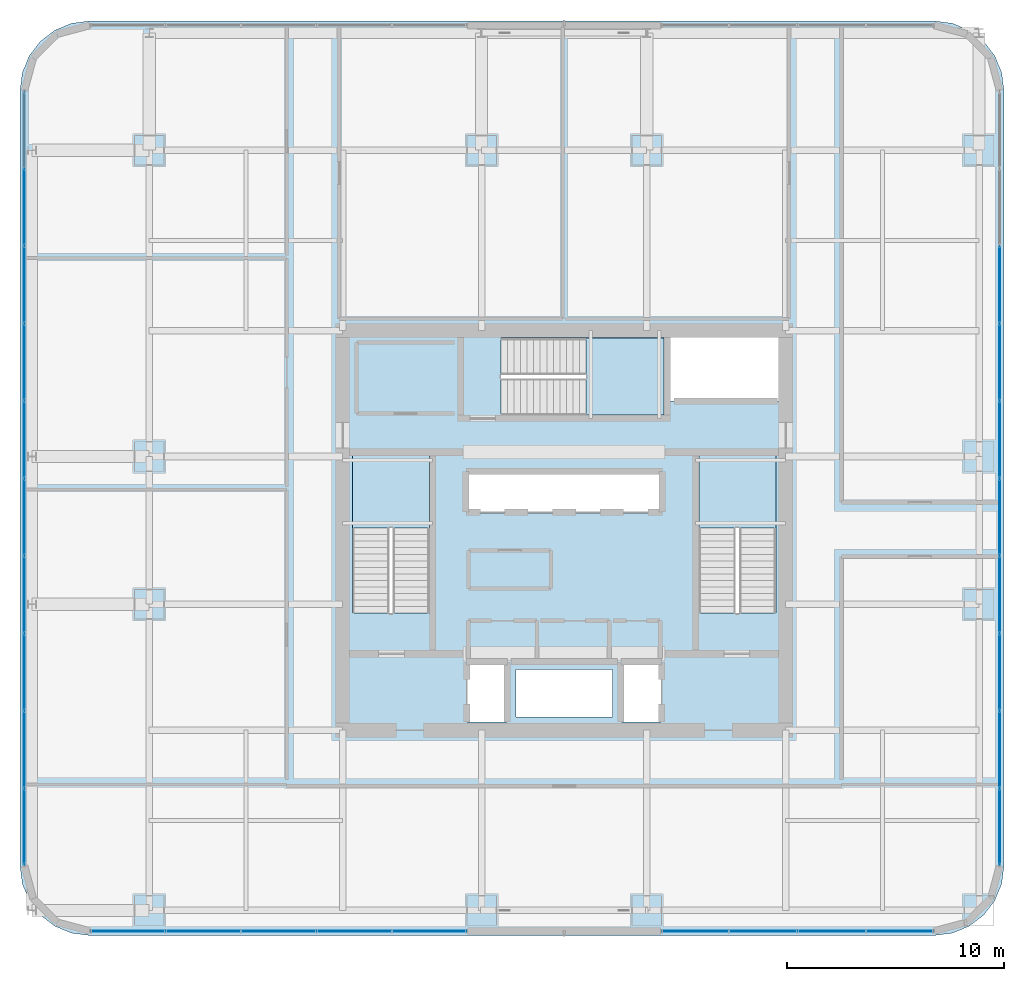
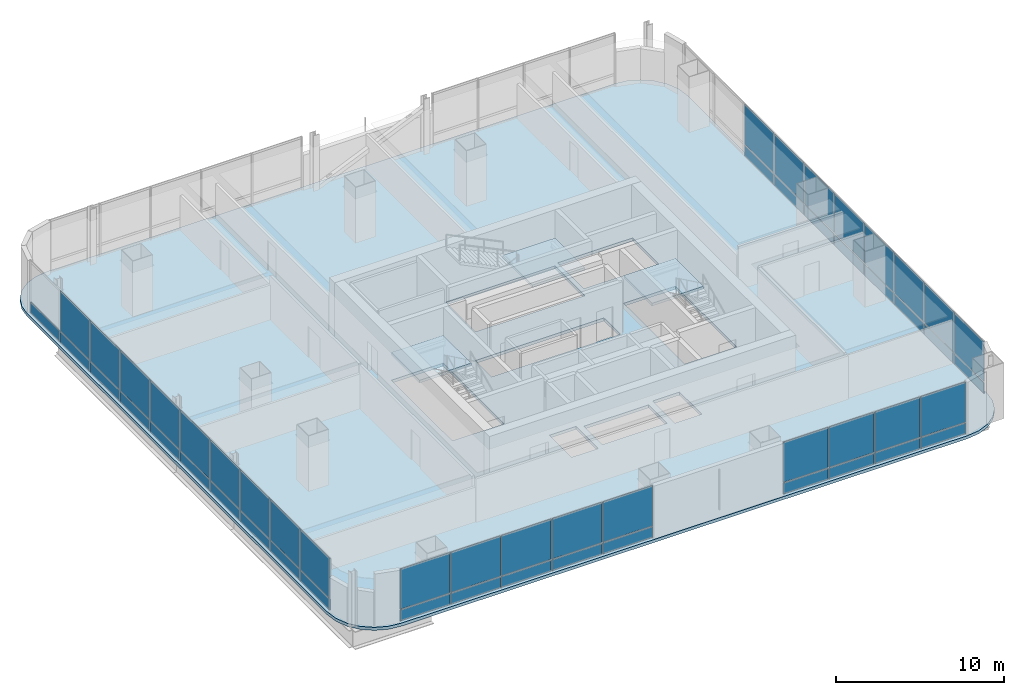
# One storey, part 26 of 38: 53 plates, 4 slabs, 7 elements without a shape of their own.
"""IFC4 building model written with IfcOpenShell, lengths in metres."""

from ifc_helpers import new_model, si_unit, direction, frame, origin, origin_2d, place, context, subcontext, project, spatial, polyline, rectangle, outline, extrude, material, layer, layer_set, type_object, element, aggregate, save


model = new_model("IFC4")

# Units and contexts
model_context = context("Model", 3, precision=1e-05, world=origin(), true_north=direction((0.0, 1.0)))
body_context = subcontext(model_context, "Body", "Model", "MODEL_VIEW")
ifc_project = project(units=[si_unit("LENGTHUNIT", "METRE"), si_unit("AREAUNIT", "SQUARE_METRE"), si_unit("VOLUMEUNIT", "CUBIC_METRE"), si_unit("PLANEANGLEUNIT", "RADIAN"), si_unit("MASSUNIT", "GRAM", prefix="KILO")], contexts=[model_context])

# Site, building, storey
site_placement = place(None, origin())
site = spatial("IfcSite", under=ifc_project, at=site_placement, CompositionType="ELEMENT")
building_placement = place(site_placement, origin())
building = spatial("IfcBuilding", under=site, at=building_placement, Name="Punatoya Terracotta Tower", CompositionType="ELEMENT")
storey_placement = place(building_placement, frame((0.0, 0.0, 156.0)))
storey = spatial("IfcBuildingStorey", under=building, at=storey_placement, Name="L36", CompositionType="ELEMENT", Elevation=156.0)

# Curtain wall, plates
ifc_material_1 = material(Name="Aluminium 6063-T6 + Double Low-E Glass", Category="aluminium")
curtain_wall_type = type_object("IfcCurtainWallType", Name="CW-M2", PredefinedType="NOTDEFINED", material=ifc_material_1)
curtain_wall_1_placement = place(storey_placement, origin())
curtain_wall_1 = element("IfcCurtainWall", 1, at=curtain_wall_1_placement, inside=storey, type_object=curtain_wall_type, Name="L36 Curtain Wall CW-L36-S01-1", PredefinedType="NOTDEFINED")
ifc_material_2 = material(Name="Double Low-E Acoustic Vision Glass", Category="glass")
ifc_layer_1 = layer(ifc_material_2, 0.031982421875)
ifc_layer_set_1 = layer_set([ifc_layer_1], Name="Double Low-E Acoustic Vision Glass")
plate_type_1 = type_object("IfcPlateType", Name="PLT-GLZ-32", PredefinedType="CURTAIN_PANEL", material=ifc_layer_set_1)
plate_1_placement = place(storey_placement, frame((-20.09814453125, -18.449951171875, 0.89013671875), z_axis=(0.0, 0.0, 1.0), x_axis=(1.0, 0.0, 0.0)))
plate_1 = element("IfcPlate", 2, at=plate_1_placement, type_object=plate_type_1, Name="CW-L36-S01-1 Vision Glass Panel 1", PredefinedType="CURTAIN_PANEL", context=body_context, shape_type="SweptSolid", body=[
    extrude(rectangle(XDim=3.392333984375, YDim=0.031982421875, at=origin_2d()), origin(), (0.0, 0.0, 1.0), 2.89990234375),
])
plate_2_placement = place(storey_placement, frame((-16.620849609375, -18.449951171875, 0.89013671875), z_axis=(0.0, 0.0, 1.0), x_axis=(1.0, 0.0, 0.0)))
plate_2 = element("IfcPlate", 3, at=plate_2_placement, type_object=plate_type_1, Name="CW-L36-S01-1 Vision Glass Panel 2", PredefinedType="CURTAIN_PANEL", context=body_context, shape_type="SweptSolid", body=[
    extrude(rectangle(XDim=3.392333984375, YDim=0.031982421875, at=origin_2d()), origin(), (0.0, 0.0, 1.0), 2.89990234375),
])
plate_3_placement = place(storey_placement, frame((-13.143310546875, -18.449951171875, 0.89013671875), z_axis=(0.0, 0.0, 1.0), x_axis=(1.0, 0.0, 0.0)))
plate_3 = element("IfcPlate", 4, at=plate_3_placement, type_object=plate_type_1, Name="CW-L36-S01-1 Vision Glass Panel 3", PredefinedType="CURTAIN_PANEL", context=body_context, shape_type="SweptSolid", body=[
    extrude(rectangle(XDim=3.392333984375, YDim=0.031982421875, at=origin_2d()), origin(), (0.0, 0.0, 1.0), 2.89990234375),
])
plate_4_placement = place(storey_placement, frame((-9.666015625, -18.449951171875, 0.89013671875), z_axis=(0.0, 0.0, 1.0), x_axis=(1.0, 0.0, 0.0)))
plate_4 = element("IfcPlate", 5, at=plate_4_placement, type_object=plate_type_1, Name="CW-L36-S01-1 Vision Glass Panel 4", PredefinedType="CURTAIN_PANEL", context=body_context, shape_type="SweptSolid", body=[
    extrude(rectangle(XDim=3.392333984375, YDim=0.031982421875, at=origin_2d()), origin(), (0.0, 0.0, 1.0), 2.89990234375),
])
plate_5_placement = place(storey_placement, frame((-6.188720703125, -18.449951171875, 0.89013671875), z_axis=(0.0, 0.0, 1.0), x_axis=(1.0, 0.0, 0.0)))
plate_5 = element("IfcPlate", 6, at=plate_5_placement, type_object=plate_type_1, Name="CW-L36-S01-1 Vision Glass Panel 5", PredefinedType="CURTAIN_PANEL", context=body_context, shape_type="SweptSolid", body=[
    extrude(rectangle(XDim=3.392333984375, YDim=0.031982421875, at=origin_2d()), origin(), (0.0, 0.0, 1.0), 2.89990234375),
])

curtain_wall_2_placement = place(storey_placement, origin())
curtain_wall_2 = element("IfcCurtainWall", 7, at=curtain_wall_2_placement, inside=storey, type_object=curtain_wall_type, Name="L36 Curtain Wall CW-L36-S01-2", PredefinedType="NOTDEFINED")
plate_6_placement = place(storey_placement, frame((6.0234375, -18.449951171875, 0.89013671875), z_axis=(0.0, 0.0, 1.0), x_axis=(1.0, 0.0, 0.0)))
plate_6 = element("IfcPlate", 8, at=plate_6_placement, type_object=plate_type_1, Name="CW-L36-S01-2 Vision Glass Panel 1", PredefinedType="CURTAIN_PANEL", context=body_context, shape_type="SweptSolid", body=[
    extrude(rectangle(XDim=3.061767578125, YDim=0.031982421875, at=origin_2d()), origin(), (0.0, 0.0, 1.0), 2.89990234375),
])
plate_7_placement = place(storey_placement, frame((9.170166015625, -18.449951171875, 0.89013671875), z_axis=(0.0, 0.0, 1.0), x_axis=(1.0, 0.0, 0.0)))
plate_7 = element("IfcPlate", 9, at=plate_7_placement, type_object=plate_type_1, Name="CW-L36-S01-2 Vision Glass Panel 2", PredefinedType="CURTAIN_PANEL", context=body_context, shape_type="SweptSolid", body=[
    extrude(rectangle(XDim=3.061767578125, YDim=0.031982421875, at=origin_2d()), origin(), (0.0, 0.0, 1.0), 2.89990234375),
])
plate_8_placement = place(storey_placement, frame((12.31689453125, -18.449951171875, 0.89013671875), z_axis=(0.0, 0.0, 1.0), x_axis=(1.0, 0.0, 0.0)))
plate_8 = element("IfcPlate", 10, at=plate_8_placement, type_object=plate_type_1, Name="CW-L36-S01-2 Vision Glass Panel 3", PredefinedType="CURTAIN_PANEL", context=body_context, shape_type="SweptSolid", body=[
    extrude(rectangle(XDim=3.061767578125, YDim=0.031982421875, at=origin_2d()), origin(), (0.0, 0.0, 1.0), 2.89990234375),
])
plate_9_placement = place(storey_placement, frame((15.46337890625, -18.449951171875, 0.89013671875), z_axis=(0.0, 0.0, 1.0), x_axis=(1.0, 0.0, 0.0)))
plate_9 = element("IfcPlate", 11, at=plate_9_placement, type_object=plate_type_1, Name="CW-L36-S01-2 Vision Glass Panel 4", PredefinedType="CURTAIN_PANEL", context=body_context, shape_type="SweptSolid", body=[
    extrude(rectangle(XDim=3.061767578125, YDim=0.031982421875, at=origin_2d()), origin(), (0.0, 0.0, 1.0), 2.89990234375),
])

curtain_wall_3_placement = place(storey_placement, origin())
curtain_wall_3 = element("IfcCurtainWall", 12, at=curtain_wall_3_placement, inside=storey, type_object=curtain_wall_type, Name="L36 Curtain Wall CW-L36-E05-1", PredefinedType="NOTDEFINED")
plate_10_placement = place(storey_placement, frame((20.050048828125, -13.6533203125, 0.89013671875), z_axis=(0.0, 0.0, 1.0), x_axis=(0.0, 1.0, 0.0)))
plate_10 = element("IfcPlate", 13, at=plate_10_placement, type_object=plate_type_1, Name="CW-L36-E05-1 Vision Glass Panel 1", PredefinedType="CURTAIN_PANEL", context=body_context, shape_type="SweptSolid", body=[
    extrude(rectangle(XDim=3.482421875, YDim=0.031982421875, at=origin_2d()), origin(), (0.0, 0.0, 1.0), 2.89990234375),
])
plate_11_placement = place(storey_placement, frame((20.050048828125, -10.085693359375, 0.89013671875), z_axis=(0.0, 0.0, 1.0), x_axis=(0.0, 1.0, 0.0)))
plate_11 = element("IfcPlate", 14, at=plate_11_placement, type_object=plate_type_1, Name="CW-L36-E05-1 Vision Glass Panel 2", PredefinedType="CURTAIN_PANEL", context=body_context, shape_type="SweptSolid", body=[
    extrude(rectangle(XDim=3.482421875, YDim=0.031982421875, at=origin_2d()), origin(), (0.0, 0.0, 1.0), 2.89990234375),
])
plate_12_placement = place(storey_placement, frame((20.050048828125, -6.518310546875, 0.89013671875), z_axis=(0.0, 0.0, 1.0), x_axis=(0.0, 1.0, 0.0)))
plate_12 = element("IfcPlate", 15, at=plate_12_placement, type_object=plate_type_1, Name="CW-L36-E05-1 Vision Glass Panel 3", PredefinedType="CURTAIN_PANEL", context=body_context, shape_type="SweptSolid", body=[
    extrude(rectangle(XDim=3.482421875, YDim=0.031982421875, at=origin_2d()), origin(), (0.0, 0.0, 1.0), 2.89990234375),
])
plate_13_placement = place(storey_placement, frame((20.050048828125, -2.951171875, 0.89013671875), z_axis=(0.0, 0.0, 1.0), x_axis=(0.0, 1.0, 0.0)))
plate_13 = element("IfcPlate", 16, at=plate_13_placement, type_object=plate_type_1, Name="CW-L36-E05-1 Vision Glass Panel 4", PredefinedType="CURTAIN_PANEL", context=body_context, shape_type="SweptSolid", body=[
    extrude(rectangle(XDim=3.482421875, YDim=0.031982421875, at=origin_2d()), origin(), (0.0, 0.0, 1.0), 2.89990234375),
])
plate_14_placement = place(storey_placement, frame((20.050048828125, 0.6162109375, 0.89013671875), z_axis=(0.0, 0.0, 1.0), x_axis=(0.0, 1.0, 0.0)))
plate_14 = element("IfcPlate", 17, at=plate_14_placement, type_object=plate_type_1, Name="CW-L36-E05-1 Vision Glass Panel 5", PredefinedType="CURTAIN_PANEL", context=body_context, shape_type="SweptSolid", body=[
    extrude(rectangle(XDim=3.482421875, YDim=0.031982421875, at=origin_2d()), origin(), (0.0, 0.0, 1.0), 2.89990234375),
])
plate_15_placement = place(storey_placement, frame((20.050048828125, 4.18359375, 0.89013671875), z_axis=(0.0, 0.0, 1.0), x_axis=(0.0, 1.0, 0.0)))
plate_15 = element("IfcPlate", 18, at=plate_15_placement, type_object=plate_type_1, Name="CW-L36-E05-1 Vision Glass Panel 6", PredefinedType="CURTAIN_PANEL", context=body_context, shape_type="SweptSolid", body=[
    extrude(rectangle(XDim=3.482421875, YDim=0.031982421875, at=origin_2d()), origin(), (0.0, 0.0, 1.0), 2.89990234375),
])
plate_16_placement = place(storey_placement, frame((20.050048828125, 7.751220703125, 0.89013671875), z_axis=(0.0, 0.0, 1.0), x_axis=(0.0, 1.0, 0.0)))
plate_16 = element("IfcPlate", 19, at=plate_16_placement, type_object=plate_type_1, Name="CW-L36-E05-1 Vision Glass Panel 7", PredefinedType="CURTAIN_PANEL", context=body_context, shape_type="SweptSolid", body=[
    extrude(rectangle(XDim=3.482421875, YDim=0.031982421875, at=origin_2d()), origin(), (0.0, 0.0, 1.0), 2.89990234375),
])
plate_17_placement = place(storey_placement, frame((20.050048828125, 11.318359375, 0.89013671875), z_axis=(0.0, 0.0, 1.0), x_axis=(0.0, 1.0, 0.0)))
plate_17 = element("IfcPlate", 20, at=plate_17_placement, type_object=plate_type_1, Name="CW-L36-E05-1 Vision Glass Panel 8", PredefinedType="CURTAIN_PANEL", context=body_context, shape_type="SweptSolid", body=[
    extrude(rectangle(XDim=3.482421875, YDim=0.031982421875, at=origin_2d()), origin(), (0.0, 0.0, 1.0), 2.89990234375),
])

curtain_wall_4_placement = place(storey_placement, origin())
curtain_wall_4 = element("IfcCurtainWall", 21, at=curtain_wall_4_placement, inside=storey, type_object=curtain_wall_type, Name="L36 Curtain Wall CW-L36-W13-1", PredefinedType="NOTDEFINED")
plate_18_placement = place(storey_placement, frame((-24.85009765625, 14.8857421875, 0.89013671875), z_axis=(0.0, 0.0, 1.0), x_axis=(0.0, -1.0, 0.0)))
plate_18 = element("IfcPlate", 22, at=plate_18_placement, type_object=plate_type_1, Name="CW-L36-W13-1 Vision Glass Panel 2", PredefinedType="CURTAIN_PANEL", context=body_context, shape_type="SweptSolid", body=[
    extrude(rectangle(XDim=3.482421875, YDim=0.031982421875, at=origin_2d()), origin(), (0.0, 0.0, 1.0), 2.89990234375),
])
plate_19_placement = place(storey_placement, frame((-24.85009765625, 11.318359375, 0.89013671875), z_axis=(0.0, 0.0, 1.0), x_axis=(0.0, -1.0, 0.0)))
plate_19 = element("IfcPlate", 23, at=plate_19_placement, type_object=plate_type_1, Name="CW-L36-W13-1 Vision Glass Panel 3", PredefinedType="CURTAIN_PANEL", context=body_context, shape_type="SweptSolid", body=[
    extrude(rectangle(XDim=3.482421875, YDim=0.031982421875, at=origin_2d()), origin(), (0.0, 0.0, 1.0), 2.89990234375),
])
plate_20_placement = place(storey_placement, frame((-24.85009765625, 7.751220703125, 0.89013671875), z_axis=(0.0, 0.0, 1.0), x_axis=(0.0, -1.0, 0.0)))
plate_20 = element("IfcPlate", 24, at=plate_20_placement, type_object=plate_type_1, Name="CW-L36-W13-1 Vision Glass Panel 4", PredefinedType="CURTAIN_PANEL", context=body_context, shape_type="SweptSolid", body=[
    extrude(rectangle(XDim=3.482421875, YDim=0.031982421875, at=origin_2d()), origin(), (0.0, 0.0, 1.0), 2.89990234375),
])
plate_21_placement = place(storey_placement, frame((-24.85009765625, 4.18359375, 0.89013671875), z_axis=(0.0, 0.0, 1.0), x_axis=(0.0, -1.0, 0.0)))
plate_21 = element("IfcPlate", 25, at=plate_21_placement, type_object=plate_type_1, Name="CW-L36-W13-1 Vision Glass Panel 5", PredefinedType="CURTAIN_PANEL", context=body_context, shape_type="SweptSolid", body=[
    extrude(rectangle(XDim=3.482421875, YDim=0.031982421875, at=origin_2d()), origin(), (0.0, 0.0, 1.0), 2.89990234375),
])
plate_22_placement = place(storey_placement, frame((-24.85009765625, 0.6162109375, 0.89013671875), z_axis=(0.0, 0.0, 1.0), x_axis=(0.0, -1.0, 0.0)))
plate_22 = element("IfcPlate", 26, at=plate_22_placement, type_object=plate_type_1, Name="CW-L36-W13-1 Vision Glass Panel 6", PredefinedType="CURTAIN_PANEL", context=body_context, shape_type="SweptSolid", body=[
    extrude(rectangle(XDim=3.482421875, YDim=0.031982421875, at=origin_2d()), origin(), (0.0, 0.0, 1.0), 2.89990234375),
])
plate_23_placement = place(storey_placement, frame((-24.85009765625, -2.951171875, 0.89013671875), z_axis=(0.0, 0.0, 1.0), x_axis=(0.0, -1.0, 0.0)))
plate_23 = element("IfcPlate", 27, at=plate_23_placement, type_object=plate_type_1, Name="CW-L36-W13-1 Vision Glass Panel 7", PredefinedType="CURTAIN_PANEL", context=body_context, shape_type="SweptSolid", body=[
    extrude(rectangle(XDim=3.482421875, YDim=0.031982421875, at=origin_2d()), origin(), (0.0, 0.0, 1.0), 2.89990234375),
])
plate_24_placement = place(storey_placement, frame((-24.85009765625, -6.518310546875, 0.89013671875), z_axis=(0.0, 0.0, 1.0), x_axis=(0.0, -1.0, 0.0)))
plate_24 = element("IfcPlate", 28, at=plate_24_placement, type_object=plate_type_1, Name="CW-L36-W13-1 Vision Glass Panel 8", PredefinedType="CURTAIN_PANEL", context=body_context, shape_type="SweptSolid", body=[
    extrude(rectangle(XDim=3.482421875, YDim=0.031982421875, at=origin_2d()), origin(), (0.0, 0.0, 1.0), 2.89990234375),
])
plate_25_placement = place(storey_placement, frame((-24.85009765625, -10.085693359375, 0.89013671875), z_axis=(0.0, 0.0, 1.0), x_axis=(0.0, -1.0, 0.0)))
plate_25 = element("IfcPlate", 29, at=plate_25_placement, type_object=plate_type_1, Name="CW-L36-W13-1 Vision Glass Panel 9", PredefinedType="CURTAIN_PANEL", context=body_context, shape_type="SweptSolid", body=[
    extrude(rectangle(XDim=3.482421875, YDim=0.031982421875, at=origin_2d()), origin(), (0.0, 0.0, 1.0), 2.89990234375),
])
plate_26_placement = place(storey_placement, frame((-24.85009765625, -13.6533203125, 0.89013671875), z_axis=(0.0, 0.0, 1.0), x_axis=(0.0, -1.0, 0.0)))
plate_26 = element("IfcPlate", 30, at=plate_26_placement, type_object=plate_type_1, Name="CW-L36-W13-1 Vision Glass Panel 10", PredefinedType="CURTAIN_PANEL", context=body_context, shape_type="SweptSolid", body=[
    extrude(rectangle(XDim=3.482421875, YDim=0.031982421875, at=origin_2d()), origin(), (0.0, 0.0, 1.0), 2.89990234375),
])

# Plate
ifc_material_3 = material(Name="Insulated Terracotta-Backed Spandrel Panel", Category="masonry")
ifc_layer_2 = layer(ifc_material_3, 0.044921875)
ifc_layer_set_2 = layer_set([ifc_layer_2], Name="Insulated Terracotta-Backed Spandrel Panel")
plate_type_2 = type_object("IfcPlateType", Name="PLT-SPN-45", PredefinedType="CURTAIN_PANEL", material=ifc_layer_set_2)
plate_27_placement = place(storey_placement, frame((-20.09814453125, -18.449951171875, 0.0400390625), z_axis=(0.0, 0.0, 1.0), x_axis=(1.0, 0.0, 0.0)))
plate_27 = element("IfcPlate", 31, at=plate_27_placement, type_object=plate_type_2, Name="CW-L36-S01-1 Terracotta Spandrel Panel 1", PredefinedType="CURTAIN_PANEL", context=body_context, shape_type="SweptSolid", body=[
    extrude(rectangle(XDim=3.392333984375, YDim=0.044921875, at=origin_2d()), origin(), (0.0, 0.0, 1.0), 0.77490234375),
])

plate_28_placement = place(storey_placement, frame((-16.620849609375, -18.449951171875, 0.0400390625), z_axis=(0.0, 0.0, 1.0), x_axis=(1.0, 0.0, 0.0)))
plate_28 = element("IfcPlate", 32, at=plate_28_placement, type_object=plate_type_2, Name="CW-L36-S01-1 Terracotta Spandrel Panel 2", PredefinedType="CURTAIN_PANEL", context=body_context, shape_type="SweptSolid", body=[
    extrude(rectangle(XDim=3.392333984375, YDim=0.044921875, at=origin_2d()), origin(), (0.0, 0.0, 1.0), 0.77490234375),
])

plate_29_placement = place(storey_placement, frame((-13.143310546875, -18.449951171875, 0.0400390625), z_axis=(0.0, 0.0, 1.0), x_axis=(1.0, 0.0, 0.0)))
plate_29 = element("IfcPlate", 33, at=plate_29_placement, type_object=plate_type_2, Name="CW-L36-S01-1 Terracotta Spandrel Panel 3", PredefinedType="CURTAIN_PANEL", context=body_context, shape_type="SweptSolid", body=[
    extrude(rectangle(XDim=3.392333984375, YDim=0.044921875, at=origin_2d()), origin(), (0.0, 0.0, 1.0), 0.77490234375),
])

plate_30_placement = place(storey_placement, frame((-9.666015625, -18.449951171875, 0.0400390625), z_axis=(0.0, 0.0, 1.0), x_axis=(1.0, 0.0, 0.0)))
plate_30 = element("IfcPlate", 34, at=plate_30_placement, type_object=plate_type_2, Name="CW-L36-S01-1 Terracotta Spandrel Panel 4", PredefinedType="CURTAIN_PANEL", context=body_context, shape_type="SweptSolid", body=[
    extrude(rectangle(XDim=3.392333984375, YDim=0.044921875, at=origin_2d()), origin(), (0.0, 0.0, 1.0), 0.77490234375),
])

plate_31_placement = place(storey_placement, frame((-6.188720703125, -18.449951171875, 0.0400390625), z_axis=(0.0, 0.0, 1.0), x_axis=(1.0, 0.0, 0.0)))
plate_31 = element("IfcPlate", 35, at=plate_31_placement, type_object=plate_type_2, Name="CW-L36-S01-1 Terracotta Spandrel Panel 5", PredefinedType="CURTAIN_PANEL", context=body_context, shape_type="SweptSolid", body=[
    extrude(rectangle(XDim=3.392333984375, YDim=0.044921875, at=origin_2d()), origin(), (0.0, 0.0, 1.0), 0.77490234375),
])

aggregate(curtain_wall_1, [plate_27, plate_1, plate_28, plate_2, plate_29, plate_3, plate_30, plate_4, plate_31, plate_5])

plate_32_placement = place(storey_placement, frame((6.0234375, -18.449951171875, 0.0400390625), z_axis=(0.0, 0.0, 1.0), x_axis=(1.0, 0.0, 0.0)))
plate_32 = element("IfcPlate", 36, at=plate_32_placement, type_object=plate_type_2, Name="CW-L36-S01-2 Terracotta Spandrel Panel 1", PredefinedType="CURTAIN_PANEL", context=body_context, shape_type="SweptSolid", body=[
    extrude(rectangle(XDim=3.061767578125, YDim=0.044921875, at=origin_2d()), origin(), (0.0, 0.0, 1.0), 0.77490234375),
])

plate_33_placement = place(storey_placement, frame((9.170166015625, -18.449951171875, 0.0400390625), z_axis=(0.0, 0.0, 1.0), x_axis=(1.0, 0.0, 0.0)))
plate_33 = element("IfcPlate", 37, at=plate_33_placement, type_object=plate_type_2, Name="CW-L36-S01-2 Terracotta Spandrel Panel 2", PredefinedType="CURTAIN_PANEL", context=body_context, shape_type="SweptSolid", body=[
    extrude(rectangle(XDim=3.061767578125, YDim=0.044921875, at=origin_2d()), origin(), (0.0, 0.0, 1.0), 0.77490234375),
])

plate_34_placement = place(storey_placement, frame((12.31689453125, -18.449951171875, 0.0400390625), z_axis=(0.0, 0.0, 1.0), x_axis=(1.0, 0.0, 0.0)))
plate_34 = element("IfcPlate", 38, at=plate_34_placement, type_object=plate_type_2, Name="CW-L36-S01-2 Terracotta Spandrel Panel 3", PredefinedType="CURTAIN_PANEL", context=body_context, shape_type="SweptSolid", body=[
    extrude(rectangle(XDim=3.061767578125, YDim=0.044921875, at=origin_2d()), origin(), (0.0, 0.0, 1.0), 0.77490234375),
])

plate_35_placement = place(storey_placement, frame((15.46337890625, -18.449951171875, 0.0400390625), z_axis=(0.0, 0.0, 1.0), x_axis=(1.0, 0.0, 0.0)))
plate_35 = element("IfcPlate", 39, at=plate_35_placement, type_object=plate_type_2, Name="CW-L36-S01-2 Terracotta Spandrel Panel 4", PredefinedType="CURTAIN_PANEL", context=body_context, shape_type="SweptSolid", body=[
    extrude(rectangle(XDim=3.061767578125, YDim=0.044921875, at=origin_2d()), origin(), (0.0, 0.0, 1.0), 0.77490234375),
])

aggregate(curtain_wall_2, [plate_32, plate_6, plate_33, plate_7, plate_34, plate_8, plate_35, plate_9])

plate_36_placement = place(storey_placement, frame((20.050048828125, -13.6533203125, 0.0400390625), z_axis=(0.0, 0.0, 1.0), x_axis=(0.0, 1.0, 0.0)))
plate_36 = element("IfcPlate", 40, at=plate_36_placement, type_object=plate_type_2, Name="CW-L36-E05-1 Terracotta Spandrel Panel 1", PredefinedType="CURTAIN_PANEL", context=body_context, shape_type="SweptSolid", body=[
    extrude(rectangle(XDim=3.482421875, YDim=0.044921875, at=origin_2d()), origin(), (0.0, 0.0, 1.0), 0.77490234375),
])

plate_37_placement = place(storey_placement, frame((20.050048828125, -10.085693359375, 0.0400390625), z_axis=(0.0, 0.0, 1.0), x_axis=(0.0, 1.0, 0.0)))
plate_37 = element("IfcPlate", 41, at=plate_37_placement, type_object=plate_type_2, Name="CW-L36-E05-1 Terracotta Spandrel Panel 2", PredefinedType="CURTAIN_PANEL", context=body_context, shape_type="SweptSolid", body=[
    extrude(rectangle(XDim=3.482421875, YDim=0.044921875, at=origin_2d()), origin(), (0.0, 0.0, 1.0), 0.77490234375),
])

plate_38_placement = place(storey_placement, frame((20.050048828125, -6.518310546875, 0.0400390625), z_axis=(0.0, 0.0, 1.0), x_axis=(0.0, 1.0, 0.0)))
plate_38 = element("IfcPlate", 42, at=plate_38_placement, type_object=plate_type_2, Name="CW-L36-E05-1 Terracotta Spandrel Panel 3", PredefinedType="CURTAIN_PANEL", context=body_context, shape_type="SweptSolid", body=[
    extrude(rectangle(XDim=3.482421875, YDim=0.044921875, at=origin_2d()), origin(), (0.0, 0.0, 1.0), 0.77490234375),
])

plate_39_placement = place(storey_placement, frame((20.050048828125, -2.951171875, 0.0400390625), z_axis=(0.0, 0.0, 1.0), x_axis=(0.0, 1.0, 0.0)))
plate_39 = element("IfcPlate", 43, at=plate_39_placement, type_object=plate_type_2, Name="CW-L36-E05-1 Terracotta Spandrel Panel 4", PredefinedType="CURTAIN_PANEL", context=body_context, shape_type="SweptSolid", body=[
    extrude(rectangle(XDim=3.482421875, YDim=0.044921875, at=origin_2d()), origin(), (0.0, 0.0, 1.0), 0.77490234375),
])

plate_40_placement = place(storey_placement, frame((20.050048828125, 0.6162109375, 0.0400390625), z_axis=(0.0, 0.0, 1.0), x_axis=(0.0, 1.0, 0.0)))
plate_40 = element("IfcPlate", 44, at=plate_40_placement, type_object=plate_type_2, Name="CW-L36-E05-1 Terracotta Spandrel Panel 5", PredefinedType="CURTAIN_PANEL", context=body_context, shape_type="SweptSolid", body=[
    extrude(rectangle(XDim=3.482421875, YDim=0.044921875, at=origin_2d()), origin(), (0.0, 0.0, 1.0), 0.77490234375),
])

plate_41_placement = place(storey_placement, frame((20.050048828125, 4.18359375, 0.0400390625), z_axis=(0.0, 0.0, 1.0), x_axis=(0.0, 1.0, 0.0)))
plate_41 = element("IfcPlate", 45, at=plate_41_placement, type_object=plate_type_2, Name="CW-L36-E05-1 Terracotta Spandrel Panel 6", PredefinedType="CURTAIN_PANEL", context=body_context, shape_type="SweptSolid", body=[
    extrude(rectangle(XDim=3.482421875, YDim=0.044921875, at=origin_2d()), origin(), (0.0, 0.0, 1.0), 0.77490234375),
])

plate_42_placement = place(storey_placement, frame((20.050048828125, 7.751220703125, 0.0400390625), z_axis=(0.0, 0.0, 1.0), x_axis=(0.0, 1.0, 0.0)))
plate_42 = element("IfcPlate", 46, at=plate_42_placement, type_object=plate_type_2, Name="CW-L36-E05-1 Terracotta Spandrel Panel 7", PredefinedType="CURTAIN_PANEL", context=body_context, shape_type="SweptSolid", body=[
    extrude(rectangle(XDim=3.482421875, YDim=0.044921875, at=origin_2d()), origin(), (0.0, 0.0, 1.0), 0.77490234375),
])

plate_43_placement = place(storey_placement, frame((20.050048828125, 11.318359375, 0.0400390625), z_axis=(0.0, 0.0, 1.0), x_axis=(0.0, 1.0, 0.0)))
plate_43 = element("IfcPlate", 47, at=plate_43_placement, type_object=plate_type_2, Name="CW-L36-E05-1 Terracotta Spandrel Panel 8", PredefinedType="CURTAIN_PANEL", context=body_context, shape_type="SweptSolid", body=[
    extrude(rectangle(XDim=3.482421875, YDim=0.044921875, at=origin_2d()), origin(), (0.0, 0.0, 1.0), 0.77490234375),
])

aggregate(curtain_wall_3, [plate_36, plate_10, plate_37, plate_11, plate_38, plate_12, plate_39, plate_13, plate_40, plate_14, plate_41, plate_15, plate_42, plate_16, plate_43, plate_17])

plate_44_placement = place(storey_placement, frame((-24.85009765625, 18.453125, 0.0400390625), z_axis=(0.0, 0.0, 1.0), x_axis=(0.0, -1.0, 0.0)))
plate_44 = element("IfcPlate", 48, at=plate_44_placement, type_object=plate_type_2, Name="CW-L36-W13-1 Terracotta Spandrel Panel 1", PredefinedType="CURTAIN_PANEL", context=body_context, shape_type="SweptSolid", body=[
    extrude(rectangle(XDim=3.482421875, YDim=0.044921875, at=origin_2d()), origin(), (0.0, 0.0, 1.0), 0.77490234375),
])

plate_45_placement = place(storey_placement, frame((-24.85009765625, 14.8857421875, 0.0400390625), z_axis=(0.0, 0.0, 1.0), x_axis=(0.0, -1.0, 0.0)))
plate_45 = element("IfcPlate", 49, at=plate_45_placement, type_object=plate_type_2, Name="CW-L36-W13-1 Terracotta Spandrel Panel 2", PredefinedType="CURTAIN_PANEL", context=body_context, shape_type="SweptSolid", body=[
    extrude(rectangle(XDim=3.482421875, YDim=0.044921875, at=origin_2d()), origin(), (0.0, 0.0, 1.0), 0.77490234375),
])

plate_46_placement = place(storey_placement, frame((-24.85009765625, 11.318359375, 0.0400390625), z_axis=(0.0, 0.0, 1.0), x_axis=(0.0, -1.0, 0.0)))
plate_46 = element("IfcPlate", 50, at=plate_46_placement, type_object=plate_type_2, Name="CW-L36-W13-1 Terracotta Spandrel Panel 3", PredefinedType="CURTAIN_PANEL", context=body_context, shape_type="SweptSolid", body=[
    extrude(rectangle(XDim=3.482421875, YDim=0.044921875, at=origin_2d()), origin(), (0.0, 0.0, 1.0), 0.77490234375),
])

plate_47_placement = place(storey_placement, frame((-24.85009765625, 7.751220703125, 0.0400390625), z_axis=(0.0, 0.0, 1.0), x_axis=(0.0, -1.0, 0.0)))
plate_47 = element("IfcPlate", 51, at=plate_47_placement, type_object=plate_type_2, Name="CW-L36-W13-1 Terracotta Spandrel Panel 4", PredefinedType="CURTAIN_PANEL", context=body_context, shape_type="SweptSolid", body=[
    extrude(rectangle(XDim=3.482421875, YDim=0.044921875, at=origin_2d()), origin(), (0.0, 0.0, 1.0), 0.77490234375),
])

plate_48_placement = place(storey_placement, frame((-24.85009765625, 4.18359375, 0.0400390625), z_axis=(0.0, 0.0, 1.0), x_axis=(0.0, -1.0, 0.0)))
plate_48 = element("IfcPlate", 52, at=plate_48_placement, type_object=plate_type_2, Name="CW-L36-W13-1 Terracotta Spandrel Panel 5", PredefinedType="CURTAIN_PANEL", context=body_context, shape_type="SweptSolid", body=[
    extrude(rectangle(XDim=3.482421875, YDim=0.044921875, at=origin_2d()), origin(), (0.0, 0.0, 1.0), 0.77490234375),
])

plate_49_placement = place(storey_placement, frame((-24.85009765625, 0.6162109375, 0.0400390625), z_axis=(0.0, 0.0, 1.0), x_axis=(0.0, -1.0, 0.0)))
plate_49 = element("IfcPlate", 53, at=plate_49_placement, type_object=plate_type_2, Name="CW-L36-W13-1 Terracotta Spandrel Panel 6", PredefinedType="CURTAIN_PANEL", context=body_context, shape_type="SweptSolid", body=[
    extrude(rectangle(XDim=3.482421875, YDim=0.044921875, at=origin_2d()), origin(), (0.0, 0.0, 1.0), 0.77490234375),
])

plate_50_placement = place(storey_placement, frame((-24.85009765625, -2.951171875, 0.0400390625), z_axis=(0.0, 0.0, 1.0), x_axis=(0.0, -1.0, 0.0)))
plate_50 = element("IfcPlate", 54, at=plate_50_placement, type_object=plate_type_2, Name="CW-L36-W13-1 Terracotta Spandrel Panel 7", PredefinedType="CURTAIN_PANEL", context=body_context, shape_type="SweptSolid", body=[
    extrude(rectangle(XDim=3.482421875, YDim=0.044921875, at=origin_2d()), origin(), (0.0, 0.0, 1.0), 0.77490234375),
])

plate_51_placement = place(storey_placement, frame((-24.85009765625, -6.518310546875, 0.0400390625), z_axis=(0.0, 0.0, 1.0), x_axis=(0.0, -1.0, 0.0)))
plate_51 = element("IfcPlate", 55, at=plate_51_placement, type_object=plate_type_2, Name="CW-L36-W13-1 Terracotta Spandrel Panel 8", PredefinedType="CURTAIN_PANEL", context=body_context, shape_type="SweptSolid", body=[
    extrude(rectangle(XDim=3.482421875, YDim=0.044921875, at=origin_2d()), origin(), (0.0, 0.0, 1.0), 0.77490234375),
])

plate_52_placement = place(storey_placement, frame((-24.85009765625, -10.085693359375, 0.0400390625), z_axis=(0.0, 0.0, 1.0), x_axis=(0.0, -1.0, 0.0)))
plate_52 = element("IfcPlate", 56, at=plate_52_placement, type_object=plate_type_2, Name="CW-L36-W13-1 Terracotta Spandrel Panel 9", PredefinedType="CURTAIN_PANEL", context=body_context, shape_type="SweptSolid", body=[
    extrude(rectangle(XDim=3.482421875, YDim=0.044921875, at=origin_2d()), origin(), (0.0, 0.0, 1.0), 0.77490234375),
])

plate_53_placement = place(storey_placement, frame((-24.85009765625, -13.6533203125, 0.0400390625), z_axis=(0.0, 0.0, 1.0), x_axis=(0.0, -1.0, 0.0)))
plate_53 = element("IfcPlate", 57, at=plate_53_placement, type_object=plate_type_2, Name="CW-L36-W13-1 Terracotta Spandrel Panel 10", PredefinedType="CURTAIN_PANEL", context=body_context, shape_type="SweptSolid", body=[
    extrude(rectangle(XDim=3.482421875, YDim=0.044921875, at=origin_2d()), origin(), (0.0, 0.0, 1.0), 0.77490234375),
])

aggregate(curtain_wall_4, [plate_44, plate_45, plate_18, plate_46, plate_19, plate_47, plate_20, plate_48, plate_21, plate_49, plate_22, plate_50, plate_23, plate_51, plate_24, plate_52, plate_25, plate_53, plate_26])

# Stair, slab
ifc_material_4 = material(Name="Concrete C40/50", Category="concrete")
stair_type_1 = type_object("IfcStairType", Name="STR-TER-1450", PredefinedType="HALF_TURN_STAIR", material=ifc_material_4)
stair_1_placement = place(storey_placement, origin())
stair_1 = element("IfcStair", 58, at=stair_1_placement, inside=storey, type_object=stair_type_1, Name="L36 Protected Core Exit Stair ST-3", PredefinedType="HALF_TURN_STAIR")
ifc_layer_3 = layer(ifc_material_4, 0.1650390625)
ifc_layer_set_3 = layer_set([ifc_layer_3], Name="Concrete C40/50")
slab_type_1 = type_object("IfcSlabType", Name="SLB-LND-165", PredefinedType="LANDING", material=ifc_layer_set_3)
slab_1_placement = place(storey_placement, frame((0.0, 0.0, 1.824951171875)))
slab_1 = element("IfcSlab", 59, at=slab_1_placement, type_object=slab_type_1, Name="ST-3 landing 1", PredefinedType="LANDING", context=body_context, shape_type="SweptSolid", body=[
    extrude(outline(polyline([(1.0, 5.300048828125), (4.60009765625, 5.300048828125), (4.60009765625, 8.85009765625), (1.0, 8.85009765625), (1.0, 5.300048828125)])), origin(), (0.0, 0.0, 1.0), 0.199951171875),
])
aggregate(stair_1, [slab_1])

stair_type_2 = type_object("IfcStairType", Name="STR-CORE-1550", PredefinedType="HALF_TURN_STAIR", material=ifc_material_4)
stair_2_placement = place(storey_placement, origin())
stair_2 = element("IfcStair", 60, at=stair_2_placement, inside=storey, type_object=stair_type_2, Name="L36 Protected Core Exit Stair ST-1", PredefinedType="HALF_TURN_STAIR")
ifc_layer_4 = layer(ifc_material_4, 0.179931640625)
ifc_layer_set_4 = layer_set([ifc_layer_4], Name="Concrete C40/50")
slab_type_2 = type_object("IfcSlabType", Name="SLB-LND-180", PredefinedType="LANDING", material=ifc_layer_set_4)
slab_2_placement = place(storey_placement, frame((0.0, 0.0, 1.824951171875)))
slab_2 = element("IfcSlab", 61, at=slab_2_placement, type_object=slab_type_2, Name="ST-1 landing 1", PredefinedType="LANDING", context=body_context, shape_type="SweptSolid", body=[
    extrude(outline(polyline([(-6.199951171875, 0.10009765625), (-6.199951171875, 3.449951171875), (-9.75, 3.449951171875), (-9.75, 0.10009765625), (-6.199951171875, 0.10009765625)])), origin(), (0.0, 0.0, 1.0), 0.199951171875),
])
aggregate(stair_2, [slab_2])

stair_type_3 = type_object("IfcStairType", Name="STR-LOB-1650", PredefinedType="HALF_TURN_STAIR", material=ifc_material_4)
stair_3_placement = place(storey_placement, origin())
stair_3 = element("IfcStair", 62, at=stair_3_placement, inside=storey, type_object=stair_type_3, Name="L36 Protected Core Exit Stair ST-2", PredefinedType="HALF_TURN_STAIR")
slab_3_placement = place(storey_placement, frame((0.0, 0.0, 1.824951171875)))
slab_3 = element("IfcSlab", 63, at=slab_3_placement, type_object=slab_type_2, Name="ST-2 landing 1", PredefinedType="LANDING", context=body_context, shape_type="SweptSolid", body=[
    extrude(outline(polyline([(9.75, 0.10009765625), (9.75, 3.449951171875), (6.199951171875, 3.449951171875), (6.199951171875, 0.10009765625), (9.75, 0.10009765625)])), origin(), (0.0, 0.0, 1.0), 0.199951171875),
])
aggregate(stair_3, [slab_3])

# Slab
ifc_layer_5 = layer(ifc_material_4, 0.219970703125)
ifc_layer_set_5 = layer_set([ifc_layer_5], Name="Concrete C40/50")
slab_type_3 = type_object("IfcSlabType", Name="SLB-OFF-220", PredefinedType="FLOOR", material=ifc_layer_set_5)
slab_4_placement = place(storey_placement, frame((0.0, 0.0, -0.219970703125)))
element("IfcSlab", 64, at=slab_4_placement, inside=storey, type_object=slab_type_3, Name="L36 Structural Floor Slab", PredefinedType="FLOOR", context=body_context, shape_type="SweptSolid", body=[
    extrude(outline(polyline([(-21.85009765625, -18.64990234375), (-22.67822265625, -18.541015625), (-23.449951171875, -18.22119140625), (-24.11279296875, -17.712646484375), (-24.621337890625, -17.050048828125), (-24.94091796875, -16.2783203125), (-25.050048828125, -15.449951171875), (-25.050048828125, 20.25), (-24.94091796875, 21.078125), (-24.621337890625, 21.85009765625), (-24.11279296875, 22.5126953125), (-23.449951171875, 23.021240234375), (-22.67822265625, 23.341064453125), (-21.85009765625, 23.449951171875), (17.050048828125, 23.449951171875), (17.878173828125, 23.341064453125), (18.64990234375, 23.021240234375), (19.312744140625, 22.5126953125), (19.8212890625, 21.85009765625), (20.14111328125, 21.078125), (20.25, 20.25), (20.25, -15.449951171875), (20.14111328125, -16.2783203125), (19.8212890625, -17.050048828125), (19.312744140625, -17.712646484375), (18.64990234375, -18.22119140625), (17.878173828125, -18.541015625), (17.050048828125, -18.64990234375), (-21.85009765625, -18.64990234375)]), holes=[polyline([(-2.6298828125, -6.179931640625), (-4.469970703125, -6.179931640625), (-4.469970703125, -8.820068359375), (-2.6298828125, -8.820068359375), (-2.6298828125, -6.179931640625)]), polyline([(0.02001953125, -8.594970703125), (2.219970703125, -8.594970703125), (2.219970703125, -6.405029296875), (0.02001953125, -6.405029296875), (-0.02001953125, -6.405029296875), (-2.219970703125, -6.405029296875), (-2.219970703125, -8.594970703125), (-0.02001953125, -8.594970703125), (0.02001953125, -8.594970703125)]), polyline([(-6.199951171875, 3.449951171875), (-9.75, 3.449951171875), (-9.75, -3.79931640625), (-6.199951171875, -3.79931640625), (-6.199951171875, 3.449951171875)]), polyline([(-4.419921875, 2.719970703125), (-4.419921875, 0.780029296875), (-2.219970703125, 0.780029296875), (-2.179931640625, 0.780029296875), (-0.02001953125, 0.780029296875), (0.02001953125, 0.780029296875), (2.179931640625, 0.780029296875), (2.219970703125, 0.780029296875), (4.419921875, 0.780029296875), (4.419921875, 2.719970703125), (2.219970703125, 2.719970703125), (2.179931640625, 2.719970703125), (0.02001953125, 2.719970703125), (-0.02001953125, 2.719970703125), (-2.179931640625, 2.719970703125), (-2.219970703125, 2.719970703125), (-4.419921875, 2.719970703125)]), polyline([(4.60009765625, 5.300048828125), (4.60009765625, 8.85009765625), (-2.899169921875, 8.85009765625), (-2.899169921875, 5.300048828125), (4.60009765625, 5.300048828125)]), polyline([(4.469970703125, -8.820068359375), (4.469970703125, -6.179931640625), (2.6298828125, -6.179931640625), (2.6298828125, -8.820068359375), (4.469970703125, -8.820068359375)]), polyline([(9.75, 3.449951171875), (6.199951171875, 3.449951171875), (6.199951171875, -3.79931640625), (9.75, -3.79931640625), (9.75, 3.449951171875)]), polyline([(10.050048828125, 5.949951171875), (10.050048828125, 9.050048828125), (4.89990234375, 9.050048828125), (4.89990234375, 5.949951171875), (10.050048828125, 5.949951171875)])]), origin(), (0.0, 0.0, 1.0), 0.219970703125),
])

save(model, "model.ifc")
